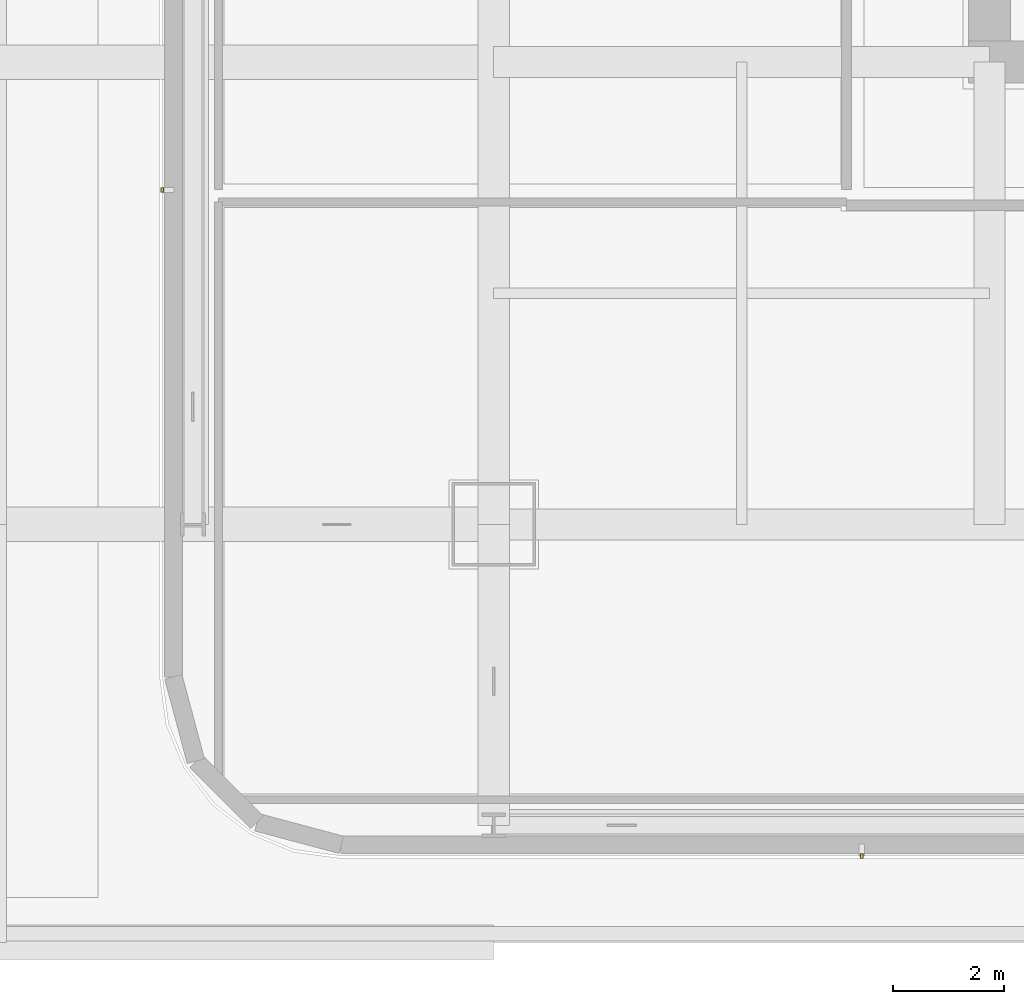
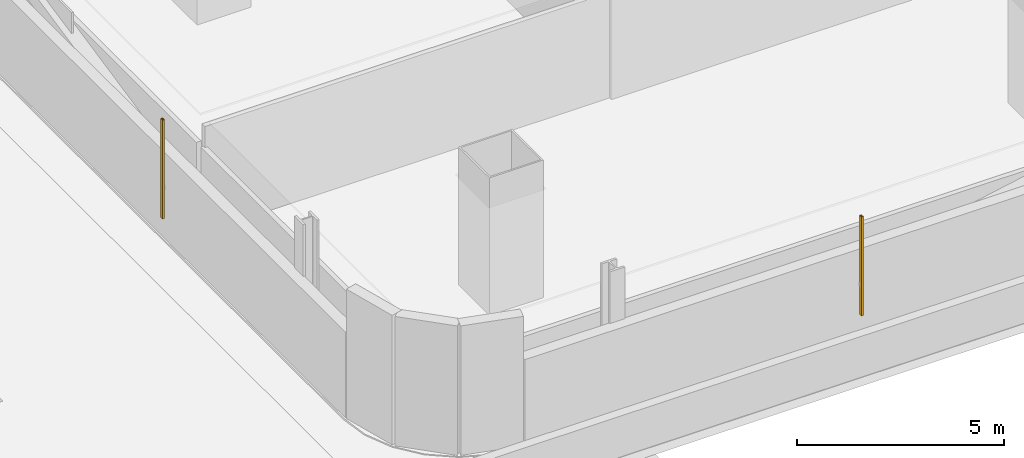
# One storey, part 20 of 30: 2 shading devices.
"""IFC4 building model written with IfcOpenShell, lengths in metres."""

from ifc_helpers import new_model, si_unit, direction, frame, origin, origin_2d, place, context, subcontext, project, spatial, hollow_rectangle, extrude, material, material_profile, profile_set, type_object, element, save


model = new_model("IFC4")

# Units and contexts
model_context = context("Model", 3, precision=1e-05, world=origin(), true_north=direction((0.0, 1.0)))
body_context = subcontext(model_context, "Body", "Model", "MODEL_VIEW")
ifc_project = project(units=[si_unit("LENGTHUNIT", "METRE"), si_unit("AREAUNIT", "SQUARE_METRE"), si_unit("VOLUMEUNIT", "CUBIC_METRE"), si_unit("PLANEANGLEUNIT", "RADIAN"), si_unit("MASSUNIT", "GRAM", prefix="KILO")], contexts=[model_context])

# Site, building, storey
site_placement = place(None, origin())
site = spatial("IfcSite", under=ifc_project, at=site_placement, CompositionType="ELEMENT")
building_placement = place(site_placement, origin())
building = spatial("IfcBuilding", under=site, at=building_placement, Name="Punatoya Terracotta Tower", CompositionType="ELEMENT")
storey_placement = place(building_placement, frame((0.0, 0.0, 28.199951171875)))
storey = spatial("IfcBuildingStorey", under=building, at=storey_placement, Name="L05", CompositionType="ELEMENT", Elevation=28.199951171875)

# Shading devices
ifc_material = material(Name="Architectural Fired Terracotta", Category="masonry")
ifc_material_profile = material_profile(ifc_material, hollow_rectangle(XDim=0.06005859375, YDim=0.090087890625, WallThickness=0.013916015625, at=origin_2d()))
ifc_profile_set = profile_set([ifc_material_profile], Name="Architectural Fired Terracotta")
shading_device_type = type_object("IfcShadingDeviceType", Name="SHD-JALI-90", PredefinedType="JALOUSIE", material=ifc_profile_set)
for number, where, z_axis, x_axis, name in (
    (1, (-12.493408203125, -23.449951171875, 0.60009765625), (0.0, 0.0, 1.0), (1.0, 0.0, 0.0), "L05 Braced Bay Terracotta Jali Fin S1"),
    (2, (-25.050048828125, -11.493408203125, 0.60009765625), (0.0, 0.0, 1.0), (1.0, 0.0, 0.0), "L05 Braced Bay Terracotta Jali Fin W2"),
):
    element("IfcShadingDevice", number, at=place(storey_placement, frame(where, z_axis=z_axis, x_axis=x_axis)), inside=storey, type_object=shading_device_type, Name=name, PredefinedType="JALOUSIE", context=body_context, shape_type="SweptSolid", body=[
        extrude(hollow_rectangle(XDim=0.06005859375, YDim=0.090087890625, WallThickness=0.013916015625, at=origin_2d()), origin(), (0.0, 0.0, 1.0), 2.909912109375),
    ])

save(model, "model.ifc")
